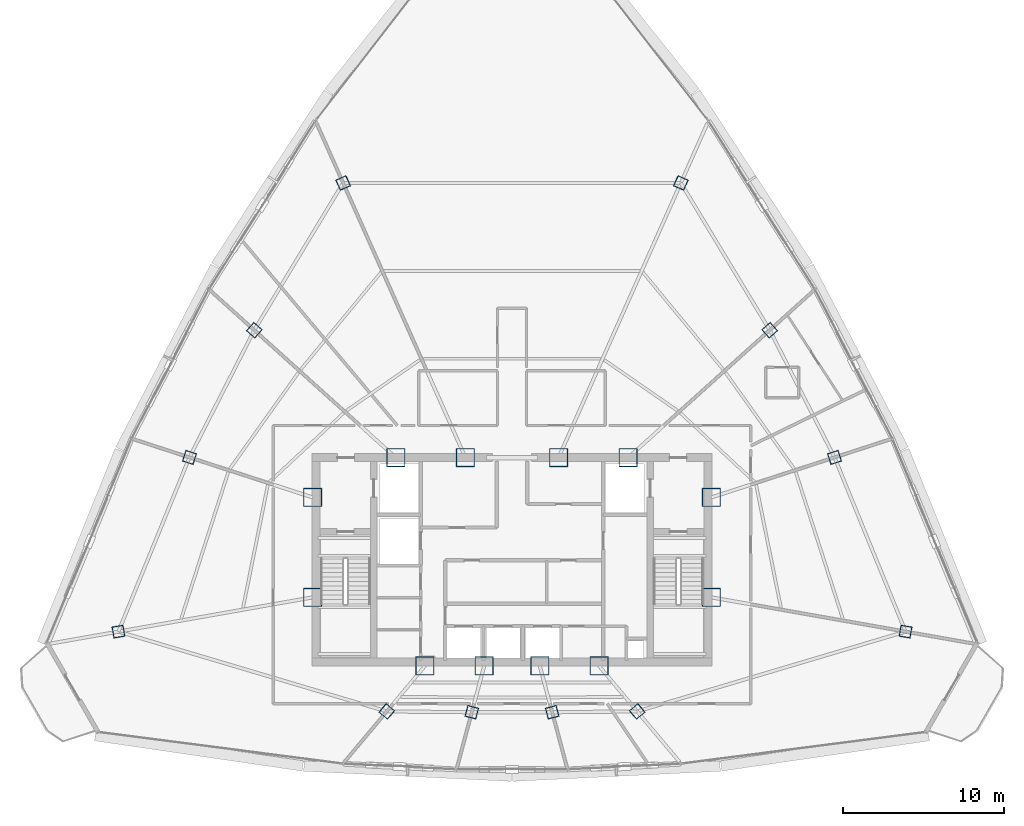
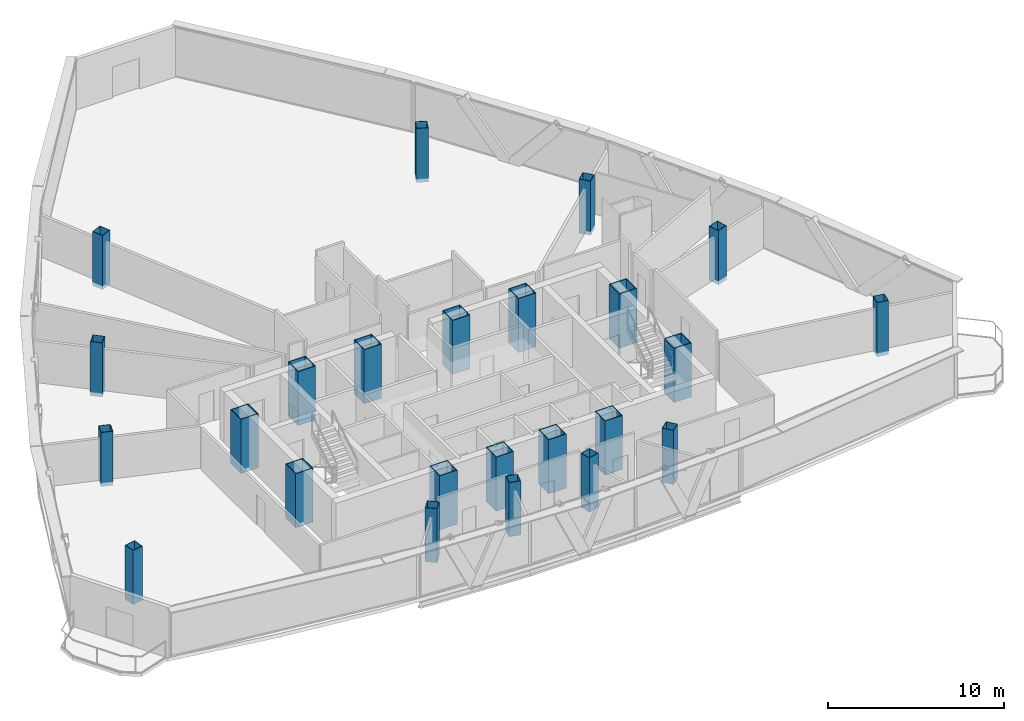
# One storey, part 1 of 33: 24 columns.
"""IFC4 building model written with IfcOpenShell, lengths in metres."""

from ifc_helpers import new_model, si_unit, direction, frame, origin, origin_2d, place, context, subcontext, project, spatial, hollow_rectangle, extrude, source, transform, mapped, material, material_profile, profile_set, type_object, element, save


model = new_model("IFC4")

# Units and contexts
model_context = context("Model", 3, precision=1e-05, world=origin(), true_north=direction((0.0, 1.0)))
body_context = subcontext(model_context, "Body", "Model", "MODEL_VIEW")
ifc_project = project(units=[si_unit("LENGTHUNIT", "METRE"), si_unit("AREAUNIT", "SQUARE_METRE"), si_unit("VOLUMEUNIT", "CUBIC_METRE"), si_unit("PLANEANGLEUNIT", "RADIAN"), si_unit("MASSUNIT", "GRAM", prefix="KILO"), si_unit("THERMODYNAMICTEMPERATUREUNIT", "KELVIN"), si_unit("POWERUNIT", "WATT")], contexts=[model_context])

# Site, building, storey
site_placement = place(None, origin())
site = spatial("IfcSite", under=ifc_project, at=site_placement, CompositionType="ELEMENT")
building_placement = place(site_placement, origin())
building = spatial("IfcBuilding", under=site, at=building_placement, Name="Yunzhuo Pagoda Commons", CompositionType="ELEMENT")
storey_placement = place(building_placement, frame((0.0, 0.0, 329.260009765625)))
storey = spatial("IfcBuildingStorey", under=building, at=storey_placement, Name="L82", CompositionType="ELEMENT", Elevation=329.260009765625)

# Columns
ifc_material_1 = material(Name="Structural steel Q420B", Category="steel")
ifc_material_profile_1 = material_profile(ifc_material_1, hollow_rectangle(XDim=1.14990234375, YDim=1.14990234375, WallThickness=0.048095703125, at=origin_2d()), Name="Structural steel Q420B")
ifc_profile_set_1 = profile_set([ifc_material_profile_1], Name="Structural steel Q420B")
column_type_1 = type_object("IfcColumnType", Name="C-COR Column BOX 1150x1150x48", PredefinedType="COLUMN", material=ifc_profile_set_1)
shared_shape_1 = source(origin(), body_context, "Body", "SweptSolid", [
    extrude(hollow_rectangle(XDim=1.14990234375, YDim=1.14990234375, WallThickness=0.048095703125, at=origin_2d()), origin(), (0.0, 0.0, 1.0), 3.75),
])
for number, where, z_axis, x_axis, name in (
    (1, (42.587890625, 27.25, -0.260009765625), (0.0, 0.0, 1.0), (1.0, 0.0, 0.0), "L82 core composite column F1C1"),
    (2, (46.27197265625, 27.25, -0.260009765625), (0.0, 0.0, 1.0), (1.0, 0.0, 0.0), "L82 core composite column F1C2"),
    (3, (49.728515625, 27.25, -0.260009765625), (0.0, 0.0, 1.0), (1.0, 0.0, 0.0), "L82 core composite column F1C3"),
    (4, (53.412109375, 27.25, -0.260009765625), (0.0, 0.0, 1.0), (1.0, 0.0, 0.0), "L82 core composite column F1C4"),
    (5, (60.39990234375, 31.513427734375, -0.260009765625), (0.0, 0.0, 1.0), (1.0, 0.0, 0.0), "L82 core composite column F2C1"),
    (6, (60.39990234375, 37.72900390625, -0.260009765625), (0.0, 0.0, 1.0), (1.0, 0.0, 0.0), "L82 core composite column F2C2"),
    (7, (55.218994140625, 40.199951171875, -0.260009765625), (0.0, 0.0, 1.0), (1.0, 0.0, 0.0), "L82 core composite column F2C3"),
    (8, (50.89404296875, 40.199951171875, -0.260009765625), (0.0, 0.0, 1.0), (1.0, 0.0, 0.0), "L82 core composite column F2C4"),
    (9, (45.10595703125, 40.199951171875, -0.260009765625), (0.0, 0.0, 1.0), (1.0, 0.0, 0.0), "L82 core composite column F3C1"),
    (10, (40.781005859375, 40.199951171875, -0.260009765625), (0.0, 0.0, 1.0), (1.0, 0.0, 0.0), "L82 core composite column F3C2"),
    (11, (35.60009765625, 37.72900390625, -0.260009765625), (0.0, 0.0, 1.0), (1.0, 0.0, 0.0), "L82 core composite column F3C3"),
    (12, (35.60009765625, 31.513427734375, -0.260009765625), (0.0, 0.0, 1.0), (1.0, 0.0, 0.0), "L82 core composite column F3C4"),
):
    element("IfcColumn", number, at=place(storey_placement, frame(where, z_axis=z_axis, x_axis=x_axis)), inside=storey, type_object=column_type_1, Name=name, PredefinedType="COLUMN", context=body_context, shape_type="MappedRepresentation", body=[
        mapped(shared_shape_1, transform((0.0, 0.0, 0.0), scale=1.0)),
    ])
ifc_material_2 = material(Name="Structural steel Q355B", Category="steel")
ifc_material_profile_2 = material_profile(ifc_material_2, hollow_rectangle(XDim=0.699951171875, YDim=0.699951171875, WallThickness=0.02587890625, at=origin_2d()), Name="Structural steel Q355B")
ifc_profile_set_2 = profile_set([ifc_material_profile_2], Name="Structural steel Q355B")
column_type_2 = type_object("IfcColumnType", Name="C-Z7 Column BOX 700x700x26", PredefinedType="COLUMN", material=ifc_profile_set_2)
shared_shape_2 = source(origin(), body_context, "Body", "SweptSolid", [
    extrude(hollow_rectangle(XDim=0.699951171875, YDim=0.699951171875, WallThickness=0.02587890625, at=origin_2d()), origin(), (0.0, 0.0, 1.0), 3.75),
])
for number, where, z_axis, x_axis, name in (
    (13, (40.214599609375, 24.421630859375, -0.260009765625), (0.0, 0.0, 1.0), (0.766044443119, -0.642787609687, 0.0), "L82 tower column F1C1"),
    (14, (45.500732421875, 24.372802734375, -0.260009765625), (0.0, 0.0, 1.0), (0.965925826289, -0.258819045103, 0.0), "L82 tower column F1C2"),
    (15, (50.499267578125, 24.372802734375, -0.260009765625), (0.0, 0.0, 1.0), (0.965925826289, 0.258819045103, 0.0), "L82 tower column F1C3"),
    (16, (55.785400390625, 24.421630859375, -0.260009765625), (0.0, 0.0, 1.0), (0.766044443119, 0.642787609687, 0.0), "L82 tower column F1C4"),
    (17, (72.47021484375, 29.38525390625, -0.260009765625), (0.0, 0.0, 1.0), (0.173648177667, 0.984807753012, 0.0), "L82 tower column F2C1"),
    (18, (68.053466796875, 40.2158203125, -0.260009765625), (0.0, 0.0, 1.0), (-0.309016994375, 0.951056516295, 0.0), "L82 tower column F2C2"),
    (19, (64.024658203125, 48.128662109375, -0.260009765625), (0.0, 0.0, 1.0), (-0.669130606359, 0.743144825477, 0.0), "L82 tower column F2C3"),
    (20, (58.498779296875, 57.281005859375, -0.260009765625), (0.0, 0.0, 1.0), (-0.913545457643, 0.406736643076, 0.0), "L82 tower column F2C4"),
    (21, (37.501220703125, 57.281005859375, -0.260009765625), (0.0, 0.0, 1.0), (-0.913545457643, -0.406736643076, 0.0), "L82 tower column F3C1"),
    (22, (31.975341796875, 48.128662109375, -0.260009765625), (0.0, 0.0, 1.0), (-0.669130606359, -0.743144825477, 0.0), "L82 tower column F3C2"),
    (23, (27.946533203125, 40.2158203125, -0.260009765625), (0.0, 0.0, 1.0), (-0.309016994375, -0.951056516295, 0.0), "L82 tower column F3C3"),
    (24, (23.52978515625, 29.38525390625, -0.260009765625), (0.0, 0.0, 1.0), (0.173648177667, -0.984807753012, 0.0), "L82 tower column F3C4"),
):
    element("IfcColumn", number, at=place(storey_placement, frame(where, z_axis=z_axis, x_axis=x_axis)), inside=storey, type_object=column_type_2, Name=name, PredefinedType="COLUMN", context=body_context, shape_type="MappedRepresentation", body=[
        mapped(shared_shape_2, transform((0.0, 0.0, 0.0), scale=1.0)),
    ])

save(model, "model.ifc")
